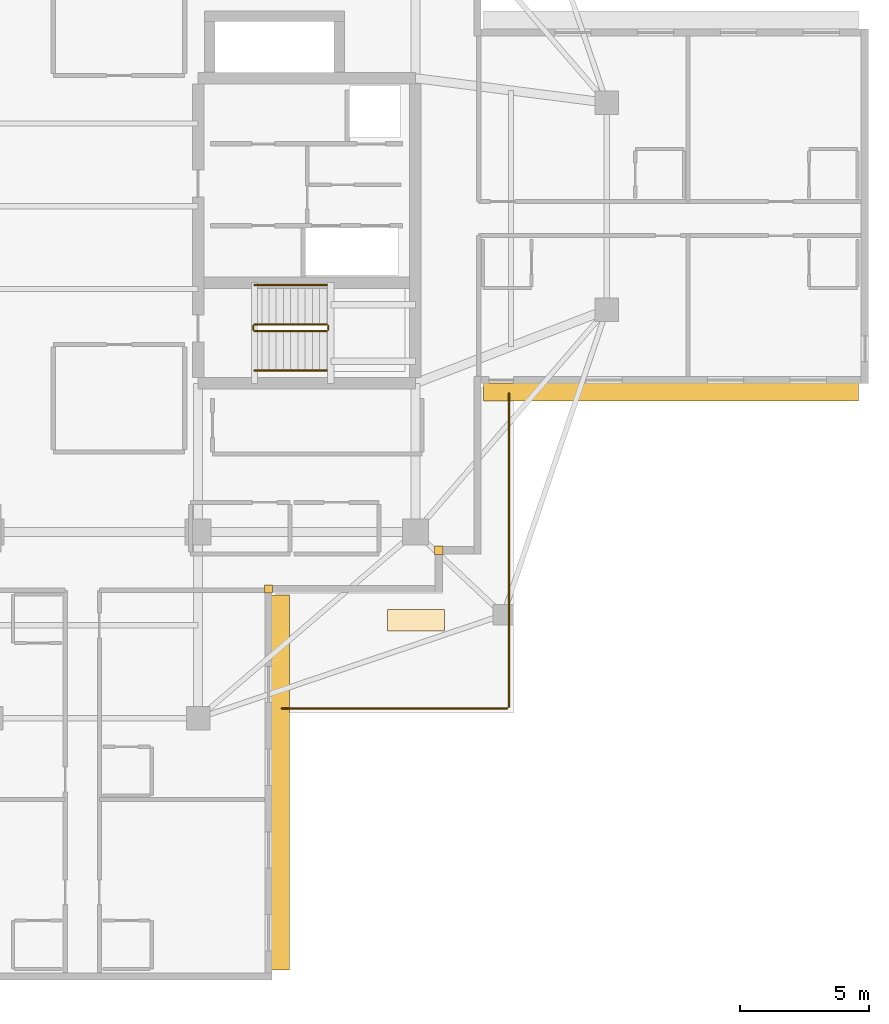
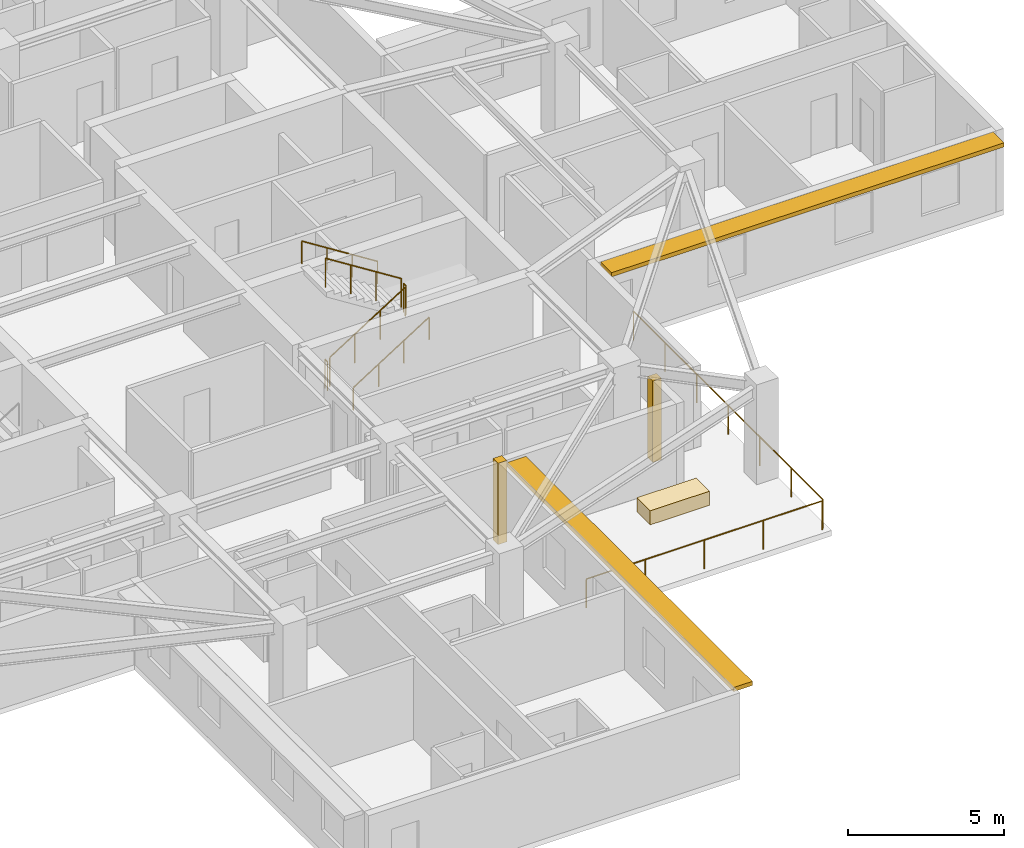
# One storey, part 11 of 13: 8 railings, 3 coverings, 2 shading devices.
"""IFC4 building model written with IfcOpenShell, lengths in metres."""

from ifc_helpers import new_model, si_unit, direction, frame, origin, origin_2d, place, context, subcontext, project, spatial, rectangle, circle, extrude, material, layer, layer_set, type_object, element, save


model = new_model("IFC4")

# Units and contexts
model_context = context("Model", 3, precision=1e-05, world=origin(), true_north=direction((0.0, 1.0)))
body_context = subcontext(model_context, "Body", "Model", "MODEL_VIEW")
ifc_project = project(units=[si_unit("LENGTHUNIT", "METRE"), si_unit("AREAUNIT", "SQUARE_METRE"), si_unit("VOLUMEUNIT", "CUBIC_METRE"), si_unit("PLANEANGLEUNIT", "RADIAN"), si_unit("MASSUNIT", "GRAM", prefix="KILO")], contexts=[model_context])

# Site, building, storey
site_placement = place(None, origin())
site = spatial("IfcSite", under=ifc_project, at=site_placement, CompositionType="ELEMENT")
building_placement = place(site_placement, origin())
building = spatial("IfcBuilding", under=site, at=building_placement, Name="Qingluan Cross Belvedere", CompositionType="ELEMENT")
storey_placement = place(building_placement, frame((0.0, 0.0, 224.699951171875)))
storey = spatial("IfcBuildingStorey", under=building, at=storey_placement, Name="L56", CompositionType="ELEMENT", Elevation=224.699951171875)

# Coverings
ifc_material_1 = material(Name="Precast concrete C45", Category="concrete")
ifc_layer_1 = layer(ifc_material_1, 0.1201171875, Name="ConcreteSpandrelCladding_120")
ifc_layer_set_1 = layer_set([ifc_layer_1], Name="Precast concrete C45")
covering_type_1 = type_object("IfcCoveringType", Name="ConcreteSpandrelCladding_120", PredefinedType="CLADDING", material=ifc_layer_set_1)
for number, where, z_axis, x_axis, name in (
    (1, (13.300048828125, -13.300048828125, 0.0), (0.0, 0.0, 1.0), (1.0, 0.0, 0.0), "Corner closure L56-SE1"),
    (2, (6.719970703125, -14.800048828125, 0.0), (0.0, 0.0, 1.0), (1.0, 0.0, 0.0), "Corner closure L56-SE2"),
):
    element("IfcCovering", number, at=place(storey_placement, frame(where, z_axis=z_axis, x_axis=x_axis)), inside=storey, type_object=covering_type_1, Name=name, PredefinedType="CLADDING", context=body_context, shape_type="SweptSolid", body=[
        extrude(rectangle(XDim=0.320068359375, YDim=0.320068359375, at=origin_2d()), origin(), (0.0, 0.0, 1.0), 3.179931640625),
    ])

# Shading devices
ifc_material_2 = material(Name="Precast concrete C45", Category="concrete")
ifc_layer_2 = layer(ifc_material_2, 0.139892578125, Name="ConcreteSunshadeBand_700")
ifc_layer_set_2 = layer_set([ifc_layer_2], Name="Precast concrete C45")
shading_device_type = type_object("IfcShadingDeviceType", Name="ConcreteSunshadeBand_700", PredefinedType="USERDEFINED", material=ifc_layer_set_2)
for number, where, z_axis, x_axis, name in (
    (3, (22.2900390625, -7.18994140625, 3.0), (0.0, 0.0, 1.0), (1.0, 0.0, 0.0), "Concrete SUNSHADE L56-EA"),
    (4, (7.18994140625, -22.2900390625, 3.0), (0.0, 0.0, 1.0), (0.0, 1.0, 0.0), "Concrete SUNSHADE L56-SB"),
):
    element("IfcShadingDevice", number, at=place(storey_placement, frame(where, z_axis=z_axis, x_axis=x_axis)), inside=storey, type_object=shading_device_type, Name=name, ObjectType="SUNSHADE", PredefinedType="USERDEFINED", context=body_context, shape_type="SweptSolid", body=[
        extrude(rectangle(XDim=14.5, YDim=0.699951171875, at=origin_2d()), origin(), (0.0, 0.0, 1.0), 0.159912109375),
    ])

# Railings
ifc_material_3 = material(Name="Brushed stainless steel tubular handrail", Category="steel")
railing_type_1 = type_object("IfcRailingType", Name="StairPitchHandrail_900", PredefinedType="HANDRAIL", material=ifc_material_3)
railing_1_placement = place(storey_placement, frame((6.179931640625, -6.35009765625, 0.17724609375)))
element("IfcRailing", 5, at=railing_1_placement, inside=storey, type_object=railing_type_1, Name="L56 ST2 stair handrail 1", PredefinedType="HANDRAIL", context=body_context, shape_type="SweptSolid", body=[
    extrude(circle(Radius=0.02392578125, at=origin_2d()), frame((0.0, 0.0, 0.8759765625), z_axis=(0.844908973607, 0.0, 0.534910110503), x_axis=(0.0, 1.0, 0.0)), (0.0, 0.0, 1.0), 3.31396484375),
    extrude(circle(Radius=0.02099609375, at=origin_2d()), origin(), (0.0, 0.0, 1.0), 0.851806640625),
    extrude(circle(Radius=0.02099609375, at=origin_2d()), frame((0.933349609375, 0.0, 0.5908203125)), (0.0, 0.0, 1.0), 0.851806640625),
    extrude(circle(Radius=0.02099609375, at=origin_2d()), frame((1.86669921875, 0.0, 1.181884765625)), (0.0, 0.0, 1.0), 0.851806640625),
    extrude(circle(Radius=0.02099609375, at=origin_2d()), frame((2.800048828125, 0.0, 1.772705078125)), (0.0, 0.0, 1.0), 0.851806640625),
])
railing_2_placement = place(storey_placement, frame((8.97998046875, -3.050048828125, 2.12744140625)))
element("IfcRailing", 6, at=railing_2_placement, inside=storey, type_object=railing_type_1, Name="L56 ST2 stair handrail 2", PredefinedType="HANDRAIL", context=body_context, shape_type="SweptSolid", body=[
    extrude(circle(Radius=0.02392578125, at=origin_2d()), frame((0.0, 0.0, 0.8759765625), z_axis=(-0.844908973607, 0.0, 0.534910110503), x_axis=(0.0, -1.0, 0.0)), (0.0, 0.0, 1.0), 3.31396484375),
    extrude(circle(Radius=0.02099609375, at=origin_2d()), origin(), (0.0, 0.0, 1.0), 0.851806640625),
    extrude(circle(Radius=0.02099609375, at=origin_2d()), frame((-0.933349609375, 0.0, 0.5908203125)), (0.0, 0.0, 1.0), 0.851806640625),
    extrude(circle(Radius=0.02099609375, at=origin_2d()), frame((-1.86669921875, 0.0, 1.181884765625)), (0.0, 0.0, 1.0), 0.851806640625),
    extrude(circle(Radius=0.02099609375, at=origin_2d()), frame((-2.800048828125, 0.0, 1.772705078125)), (0.0, 0.0, 1.0), 0.851806640625),
])
ifc_material_4 = material(Name="Painted steel stair well guard", Category="steel")
railing_type_2 = type_object("IfcRailingType", Name="StairWellGuard_1150", PredefinedType="BALUSTRADE", material=ifc_material_4)
railing_3_placement = place(storey_placement, frame((6.179931640625, -4.830078125, 0.17724609375)))
element("IfcRailing", 7, at=railing_3_placement, inside=storey, type_object=railing_type_2, Name="L56 ST2 stair guard 1", PredefinedType="BALUSTRADE", context=body_context, shape_type="SweptSolid", body=[
    extrude(circle(Radius=0.02392578125, at=origin_2d()), frame((0.0, 0.0, 1.1259765625), z_axis=(0.844908973607, 0.0, 0.534910110503), x_axis=(0.0, 1.0, 0.0)), (0.0, 0.0, 1.0), 3.31396484375),
    extrude(circle(Radius=0.02099609375, at=origin_2d()), origin(), (0.0, 0.0, 1.0), 1.101806640625),
    extrude(circle(Radius=0.02099609375, at=origin_2d()), frame((0.933349609375, 0.0, 0.5908203125)), (0.0, 0.0, 1.0), 1.101806640625),
    extrude(circle(Radius=0.02099609375, at=origin_2d()), frame((1.86669921875, 0.0, 1.181884765625)), (0.0, 0.0, 1.0), 1.101806640625),
    extrude(circle(Radius=0.02099609375, at=origin_2d()), frame((2.800048828125, 0.0, 1.772705078125)), (0.0, 0.0, 1.0), 1.101806640625),
])
railing_4_placement = place(storey_placement, frame((9.030029296875, -4.780029296875, 1.949951171875)))
element("IfcRailing", 8, at=railing_4_placement, inside=storey, type_object=railing_type_2, Name="L56 ST2 stair guard 2", PredefinedType="BALUSTRADE", context=body_context, shape_type="SweptSolid", body=[
    extrude(circle(Radius=0.02392578125, at=origin_2d()), frame((0.0, 0.0, 1.1259765625), z_axis=(0.0, 1.0, 0.0), x_axis=(-1.0, 0.0, 0.0)), (0.0, 0.0, 1.0), 0.159912109375),
    extrude(circle(Radius=0.02099609375, at=origin_2d()), origin(), (0.0, 0.0, 1.0), 1.101806640625),
    extrude(circle(Radius=0.02099609375, at=origin_2d()), frame((0.0, 0.159912109375, 0.0)), (0.0, 0.0, 1.0), 1.101806640625),
])
railing_5_placement = place(storey_placement, frame((8.97998046875, -4.570068359375, 2.12744140625)))
element("IfcRailing", 9, at=railing_5_placement, inside=storey, type_object=railing_type_2, Name="L56 ST2 stair guard 3", PredefinedType="BALUSTRADE", context=body_context, shape_type="SweptSolid", body=[
    extrude(circle(Radius=0.02392578125, at=origin_2d()), frame((0.0, 0.0, 1.1259765625), z_axis=(-0.844908973607, 0.0, 0.534910110503), x_axis=(0.0, -1.0, 0.0)), (0.0, 0.0, 1.0), 3.31396484375),
    extrude(circle(Radius=0.02099609375, at=origin_2d()), origin(), (0.0, 0.0, 1.0), 1.101806640625),
    extrude(circle(Radius=0.02099609375, at=origin_2d()), frame((-0.933349609375, 0.0, 0.5908203125)), (0.0, 0.0, 1.0), 1.101806640625),
    extrude(circle(Radius=0.02099609375, at=origin_2d()), frame((-1.86669921875, 0.0, 1.181884765625)), (0.0, 0.0, 1.0), 1.101806640625),
    extrude(circle(Radius=0.02099609375, at=origin_2d()), frame((-2.800048828125, 0.0, 1.772705078125)), (0.0, 0.0, 1.0), 1.101806640625),
])
railing_6_placement = place(storey_placement, frame((6.1298828125, -4.780029296875, 0.0)))
element("IfcRailing", 10, at=railing_6_placement, inside=storey, type_object=railing_type_2, Name="L56 ST2 stair guard 4", PredefinedType="BALUSTRADE", context=body_context, shape_type="SweptSolid", body=[
    extrude(circle(Radius=0.02392578125, at=origin_2d()), frame((0.0, 0.0, 1.1259765625), z_axis=(0.0, 1.0, 0.0), x_axis=(-1.0, 0.0, 0.0)), (0.0, 0.0, 1.0), 0.159912109375),
    extrude(circle(Radius=0.02099609375, at=origin_2d()), origin(), (0.0, 0.0, 1.0), 1.101806640625),
    extrude(circle(Radius=0.02099609375, at=origin_2d()), frame((0.0, 0.159912109375, 0.0)), (0.0, 0.0, 1.0), 1.101806640625),
])
ifc_material_5 = material(Name="Laminated glass and stainless steel balustrade", Category="steel")
railing_type_3 = type_object("IfcRailingType", Name="TerraceGuardBalustrade_1150", PredefinedType="BALUSTRADE", material=ifc_material_5)
railing_7_placement = place(storey_placement, frame((16.02001953125, -7.239990234375, 0.0)))
element("IfcRailing", 11, at=railing_7_placement, inside=storey, type_object=railing_type_3, Name="Terrace guard L56-1", PredefinedType="BALUSTRADE", context=body_context, shape_type="SweptSolid", body=[
    extrude(circle(Radius=0.02392578125, at=origin_2d()), frame((0.0, 0.0, 1.1259765625), z_axis=(0.0, -1.0, 0.0), x_axis=(1.0, 0.0, 0.0)), (0.0, 0.0, 1.0), 12.1201171875),
    extrude(circle(Radius=0.02099609375, at=origin_2d()), origin(), (0.0, 0.0, 1.0), 1.101806640625),
    extrude(circle(Radius=0.02099609375, at=origin_2d()), frame((0.0, -2.02001953125, 0.0)), (0.0, 0.0, 1.0), 1.101806640625),
    extrude(circle(Radius=0.02099609375, at=origin_2d()), frame((0.0, -4.0400390625, 0.0)), (0.0, 0.0, 1.0), 1.101806640625),
    extrude(circle(Radius=0.02099609375, at=origin_2d()), frame((0.0, -6.06005859375, 0.0)), (0.0, 0.0, 1.0), 1.101806640625),
    extrude(circle(Radius=0.02099609375, at=origin_2d()), frame((0.0, -8.080078125, 0.0)), (0.0, 0.0, 1.0), 1.101806640625),
    extrude(circle(Radius=0.02099609375, at=origin_2d()), frame((0.0, -10.10009765625, 0.0)), (0.0, 0.0, 1.0), 1.101806640625),
    extrude(circle(Radius=0.02099609375, at=origin_2d()), frame((0.0, -12.1201171875, 0.0)), (0.0, 0.0, 1.0), 1.101806640625),
])
railing_8_placement = place(storey_placement, frame((15.9599609375, -19.419921875, 0.0)))
element("IfcRailing", 12, at=railing_8_placement, inside=storey, type_object=railing_type_3, Name="Terrace guard L56-2", PredefinedType="BALUSTRADE", context=body_context, shape_type="SweptSolid", body=[
    extrude(circle(Radius=0.02392578125, at=origin_2d()), frame((0.0, 0.0, 1.1259765625), z_axis=(-1.0, 0.0, 0.0), x_axis=(0.0, -1.0, 0.0)), (0.0, 0.0, 1.0), 8.719970703125),
    extrude(circle(Radius=0.02099609375, at=origin_2d()), origin(), (0.0, 0.0, 1.0), 1.101806640625),
    extrude(circle(Radius=0.02099609375, at=origin_2d()), frame((-2.179931640625, 0.0, 0.0)), (0.0, 0.0, 1.0), 1.101806640625),
    extrude(circle(Radius=0.02099609375, at=origin_2d()), frame((-4.35986328125, 0.0, 0.0)), (0.0, 0.0, 1.0), 1.101806640625),
    extrude(circle(Radius=0.02099609375, at=origin_2d()), frame((-6.5400390625, 0.0, 0.0)), (0.0, 0.0, 1.0), 1.101806640625),
    extrude(circle(Radius=0.02099609375, at=origin_2d()), frame((-8.719970703125, 0.0, 0.0)), (0.0, 0.0, 1.0), 1.101806640625),
])

# Covering
ifc_material_6 = material(Name="Precast concrete C40", Category="concrete")
ifc_layer_3 = layer(ifc_material_6, 0.550048828125, Name="TerracePlanterBox")
ifc_layer_set_3 = layer_set([ifc_layer_3], Name="Precast concrete C40")
covering_type_2 = type_object("IfcCoveringType", Name="TerracePlanterBox", PredefinedType="USERDEFINED", material=ifc_layer_set_3)
covering_placement = place(storey_placement, frame((12.425048828125, -16.010009765625, 0.0), z_axis=(0.0, 0.0, 1.0), x_axis=(1.0, 0.0, 0.0)))
element("IfcCovering", 13, at=covering_placement, inside=storey, type_object=covering_type_2, Name="Spiralling winter-garden planter L56", ObjectType="PLANTER", PredefinedType="USERDEFINED", context=body_context, shape_type="SweptSolid", body=[
    extrude(rectangle(XDim=2.199951171875, YDim=0.85009765625, at=origin_2d()), origin(), (0.0, 0.0, 1.0), 0.550048828125),
])

save(model, "model.ifc")
